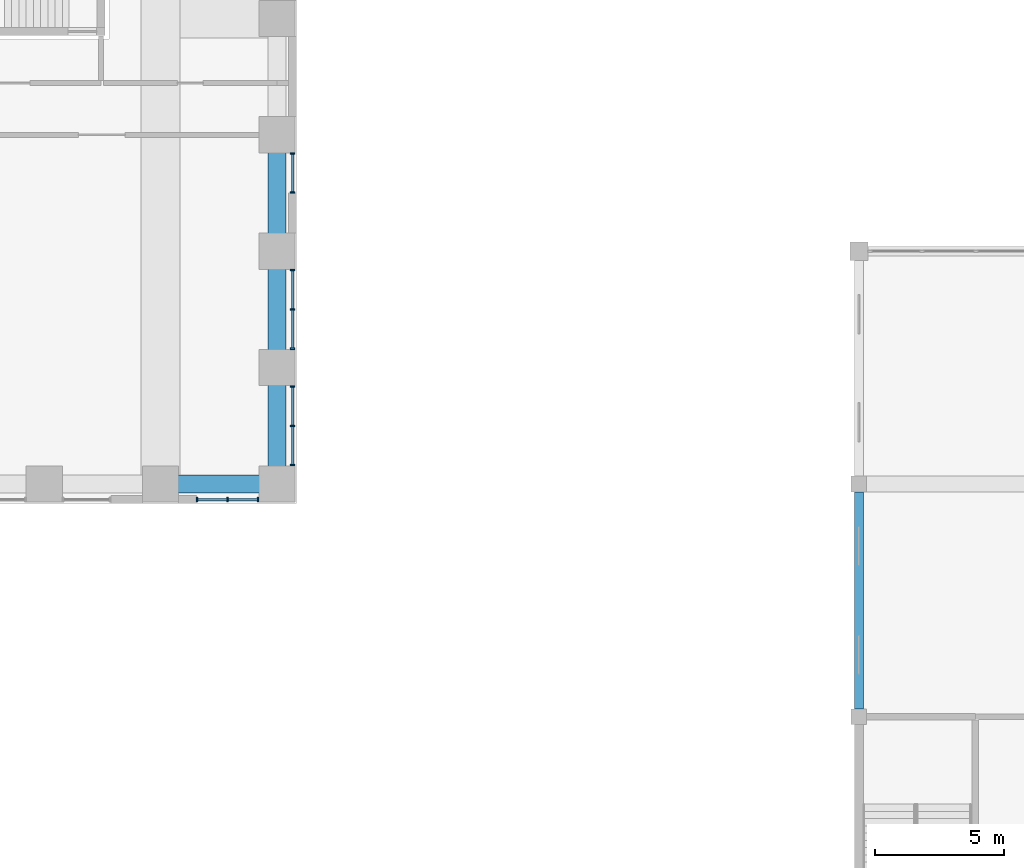
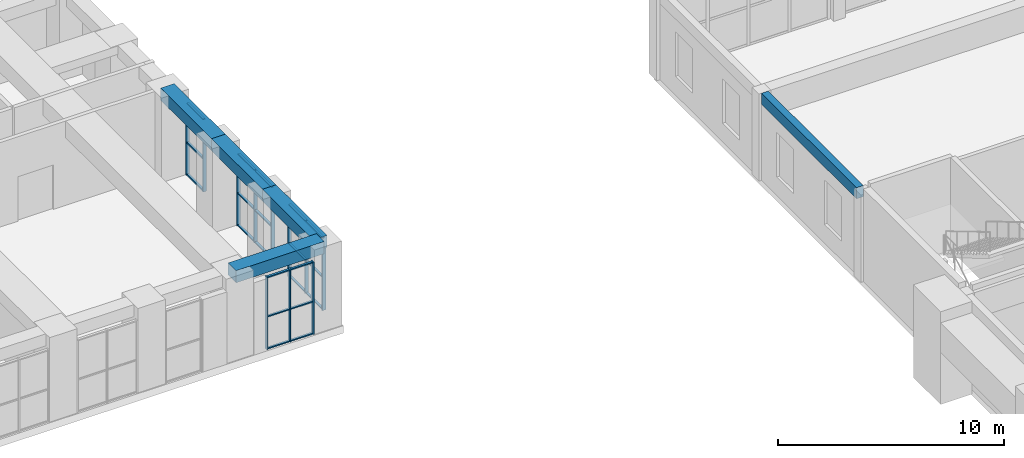
# One storey, part 8 of 34: 32 members, 5 beams, 4 elements without a shape of their own.
"""IFC4 building model written with IfcOpenShell, lengths in metres."""

from ifc_helpers import new_model, si_unit, direction, frame, origin, origin_2d, place, context, subcontext, project, spatial, rectangle, extrude, material, material_profile, profile_set, type_object, element, aggregate, save


model = new_model("IFC4")

# Units and contexts
model_context = context("Model", 3, precision=1e-05, world=origin(), true_north=direction((0.0, 1.0)))
body_context = subcontext(model_context, "Body", "Model", "MODEL_VIEW")
ifc_project = project(units=[si_unit("LENGTHUNIT", "METRE"), si_unit("AREAUNIT", "SQUARE_METRE"), si_unit("VOLUMEUNIT", "CUBIC_METRE"), si_unit("PLANEANGLEUNIT", "RADIAN"), si_unit("MASSUNIT", "GRAM", prefix="KILO")], contexts=[model_context])

# Site, building, storey
site_placement = place(None, origin())
site = spatial("IfcSite", under=ifc_project, at=site_placement, CompositionType="ELEMENT")
building_placement = place(site_placement, origin())
building = spatial("IfcBuilding", under=site, at=building_placement, Name="Firuza Court", CompositionType="ELEMENT")
storey_placement = place(building_placement, frame((0.0, 0.0, 19.0)))
storey = spatial("IfcBuildingStorey", under=building, at=storey_placement, Name="L03", CompositionType="ELEMENT", Elevation=19.0)

# Curtain wall, members
ifc_material_1 = material(Name="Aluminium curtain wall, triple clear glazing", Category="aluminium")
curtain_wall_type = type_object("IfcCurtainWallType", Name="Podium unitised curtain wall CW1", PredefinedType="NOTDEFINED", material=ifc_material_1)
curtain_wall_1_placement = place(storey_placement, origin())
curtain_wall_1 = element("IfcCurtainWall", 1, at=curtain_wall_1_placement, inside=storey, type_object=curtain_wall_type, Name="Podium unitised curtain wall CW1 L03", PredefinedType="NOTDEFINED")
ifc_material_2 = material(Name="Aluminium EN AW-6060 T66", Category="aluminium")
ifc_material_profile_1 = material_profile(ifc_material_2, rectangle(XDim=0.179931640625, YDim=0.06005859375, at=origin_2d()), Name="Mullion 180 x 60 CW1")
ifc_profile_set_1 = profile_set([ifc_material_profile_1], Name="Aluminium EN AW-6060 T66")
member_type_1 = type_object("IfcMemberType", Name="Mullion 180 x 60 CW1", PredefinedType="MULLION", material=ifc_profile_set_1)
member_1_placement = place(storey_placement, frame((64.409912109375, 35.39990234375, 0.0), z_axis=(0.0, 0.0, 1.0), x_axis=(0.0, 1.0, 0.0)))
member_1 = element("IfcMember", 2, at=member_1_placement, type_object=member_type_1, Name="CW1 mullion 1", PredefinedType="MULLION", context=body_context, shape_type="SweptSolid", body=[
    extrude(rectangle(XDim=0.179931640625, YDim=0.06005859375, at=origin_2d()), origin(), (0.0, 0.0, 1.0), 3.89990234375),
])
member_2_placement = place(storey_placement, frame((65.58984375, 35.39990234375, 0.0), z_axis=(0.0, 0.0, 1.0), x_axis=(0.0, 1.0, 0.0)))
member_2 = element("IfcMember", 3, at=member_2_placement, type_object=member_type_1, Name="CW1 mullion 2", PredefinedType="MULLION", context=body_context, shape_type="SweptSolid", body=[
    extrude(rectangle(XDim=0.179931640625, YDim=0.06005859375, at=origin_2d()), origin(), (0.0, 0.0, 1.0), 3.89990234375),
])
member_3_placement = place(storey_placement, frame((66.77001953125, 35.39990234375, 0.0), z_axis=(0.0, 0.0, 1.0), x_axis=(0.0, 1.0, 0.0)))
member_3 = element("IfcMember", 4, at=member_3_placement, type_object=member_type_1, Name="CW1 mullion 3", PredefinedType="MULLION", context=body_context, shape_type="SweptSolid", body=[
    extrude(rectangle(XDim=0.179931640625, YDim=0.06005859375, at=origin_2d()), origin(), (0.0, 0.0, 1.0), 3.89990234375),
])

curtain_wall_2_placement = place(storey_placement, origin())
curtain_wall_2 = element("IfcCurtainWall", 5, at=curtain_wall_2_placement, inside=storey, type_object=curtain_wall_type, Name="Podium unitised curtain wall CW1 L03", PredefinedType="NOTDEFINED")
member_4_placement = place(storey_placement, frame((68.10009765625, 36.72998046875, 0.0), z_axis=(0.0, 0.0, 1.0), x_axis=(-1.0, 0.0, 0.0)))
member_4 = element("IfcMember", 6, at=member_4_placement, type_object=member_type_1, Name="CW1 mullion 1", PredefinedType="MULLION", context=body_context, shape_type="SweptSolid", body=[
    extrude(rectangle(XDim=0.179931640625, YDim=0.06005859375, at=origin_2d()), origin(), (0.0, 0.0, 1.0), 3.89990234375),
])
member_5_placement = place(storey_placement, frame((68.10009765625, 38.25, 0.0), z_axis=(0.0, 0.0, 1.0), x_axis=(-1.0, 0.0, 0.0)))
member_5 = element("IfcMember", 7, at=member_5_placement, type_object=member_type_1, Name="CW1 mullion 2", PredefinedType="MULLION", context=body_context, shape_type="SweptSolid", body=[
    extrude(rectangle(XDim=0.179931640625, YDim=0.06005859375, at=origin_2d()), origin(), (0.0, 0.0, 1.0), 3.89990234375),
])
member_6_placement = place(storey_placement, frame((68.10009765625, 39.77001953125, 0.0), z_axis=(0.0, 0.0, 1.0), x_axis=(-1.0, 0.0, 0.0)))
member_6 = element("IfcMember", 8, at=member_6_placement, type_object=member_type_1, Name="CW1 mullion 3", PredefinedType="MULLION", context=body_context, shape_type="SweptSolid", body=[
    extrude(rectangle(XDim=0.179931640625, YDim=0.06005859375, at=origin_2d()), origin(), (0.0, 0.0, 1.0), 3.89990234375),
])

curtain_wall_3_placement = place(storey_placement, origin())
curtain_wall_3 = element("IfcCurtainWall", 9, at=curtain_wall_3_placement, inside=storey, type_object=curtain_wall_type, Name="Podium unitised curtain wall CW1 L03", PredefinedType="NOTDEFINED")
member_7_placement = place(storey_placement, frame((68.10009765625, 41.22998046875, 0.0), z_axis=(0.0, 0.0, 1.0), x_axis=(-1.0, 0.0, 0.0)))
member_7 = element("IfcMember", 10, at=member_7_placement, type_object=member_type_1, Name="CW1 mullion 1", PredefinedType="MULLION", context=body_context, shape_type="SweptSolid", body=[
    extrude(rectangle(XDim=0.179931640625, YDim=0.06005859375, at=origin_2d()), origin(), (0.0, 0.0, 1.0), 3.89990234375),
])
member_8_placement = place(storey_placement, frame((68.10009765625, 42.75, 0.0), z_axis=(0.0, 0.0, 1.0), x_axis=(-1.0, 0.0, 0.0)))
member_8 = element("IfcMember", 11, at=member_8_placement, type_object=member_type_1, Name="CW1 mullion 2", PredefinedType="MULLION", context=body_context, shape_type="SweptSolid", body=[
    extrude(rectangle(XDim=0.179931640625, YDim=0.06005859375, at=origin_2d()), origin(), (0.0, 0.0, 1.0), 3.89990234375),
])
member_9_placement = place(storey_placement, frame((68.10009765625, 44.27001953125, 0.0), z_axis=(0.0, 0.0, 1.0), x_axis=(-1.0, 0.0, 0.0)))
member_9 = element("IfcMember", 12, at=member_9_placement, type_object=member_type_1, Name="CW1 mullion 3", PredefinedType="MULLION", context=body_context, shape_type="SweptSolid", body=[
    extrude(rectangle(XDim=0.179931640625, YDim=0.06005859375, at=origin_2d()), origin(), (0.0, 0.0, 1.0), 3.89990234375),
])

curtain_wall_4_placement = place(storey_placement, origin())
curtain_wall_4 = element("IfcCurtainWall", 13, at=curtain_wall_4_placement, inside=storey, type_object=curtain_wall_type, Name="Podium unitised curtain wall CW1 L03", PredefinedType="NOTDEFINED")
member_10_placement = place(storey_placement, frame((68.10009765625, 47.272216796875, 0.0), z_axis=(0.0, 0.0, 1.0), x_axis=(-1.0, 0.0, 0.0)))
member_10 = element("IfcMember", 14, at=member_10_placement, type_object=member_type_1, Name="CW1 mullion 1", PredefinedType="MULLION", context=body_context, shape_type="SweptSolid", body=[
    extrude(rectangle(XDim=0.179931640625, YDim=0.06005859375, at=origin_2d()), origin(), (0.0, 0.0, 1.0), 3.89990234375),
])
member_11_placement = place(storey_placement, frame((68.10009765625, 48.77001953125, 0.0), z_axis=(0.0, 0.0, 1.0), x_axis=(-1.0, 0.0, 0.0)))
member_11 = element("IfcMember", 15, at=member_11_placement, type_object=member_type_1, Name="CW1 mullion 2", PredefinedType="MULLION", context=body_context, shape_type="SweptSolid", body=[
    extrude(rectangle(XDim=0.179931640625, YDim=0.06005859375, at=origin_2d()), origin(), (0.0, 0.0, 1.0), 3.89990234375),
])

# Beams
ifc_material_3 = material(Name="Concrete C40/50", Category="concrete")
ifc_material_profile_2 = material_profile(ifc_material_3, rectangle(XDim=0.35009765625, YDim=0.60009765625, at=origin_2d()), Name="RC 350X600")
ifc_profile_set_2 = profile_set([ifc_material_profile_2], Name="Concrete C40/50")
beam_type_1 = type_object("IfcBeamType", Name="RC RING BEAM 350X600", PredefinedType="BEAM", material=ifc_profile_set_2)
beam_placement = place(storey_placement, frame((90.0, 27.300048828125, 4.39990234375), z_axis=(0.0, 1.0, 0.0), x_axis=(-1.0, 0.0, 0.0)))
element("IfcBeam", 16, at=beam_placement, inside=storey, type_object=beam_type_1, Name="Edge beam W2.1 L03", PredefinedType="BEAM", context=body_context, shape_type="SweptSolid", body=[
    extrude(rectangle(XDim=0.35009765625, YDim=0.60009765625, at=origin_2d()), origin(), (0.0, 0.0, 1.0), 8.39990234375),
])
ifc_material_4 = material(Name="Concrete C40/50", Category="concrete")
ifc_material_profile_3 = material_profile(ifc_material_4, rectangle(XDim=0.699951171875, YDim=0.64990234375, at=origin_2d()), Name="RC 700x650")
ifc_profile_set_3 = profile_set([ifc_material_profile_3], Name="Concrete C40/50")
beam_type_2 = type_object("IfcBeamType", Name="Spandrel beam RC 700x650 C40/50", PredefinedType="BEAM", material=ifc_profile_set_3)
for number, where, z_axis, x_axis, name in (
    (17, (63.0, 36.0, 4.22509765625), (1.0, 0.0, 0.0), (0.0, 1.0, 0.0), "Spandrel beam SP9 level L04"),
    (18, (67.5, 36.0, 4.22509765625), (0.0, 1.0, 0.0), (-1.0, 0.0, 0.0), "Spandrel beam SP9 level L04"),
    (19, (67.5, 40.5, 4.22509765625), (0.0, 1.0, 0.0), (-1.0, 0.0, 0.0), "Spandrel beam SP9 level L04"),
    (20, (67.5, 45.0, 4.22509765625), (0.0, 1.0, 0.0), (-1.0, 0.0, 0.0), "Spandrel beam SP9 level L04"),
):
    element("IfcBeam", number, at=place(storey_placement, frame(where, z_axis=z_axis, x_axis=x_axis)), inside=storey, type_object=beam_type_2, Name=name, PredefinedType="BEAM", context=body_context, shape_type="SweptSolid", body=[
        extrude(rectangle(XDim=0.699951171875, YDim=0.64990234375, at=origin_2d()), origin(), (0.0, 0.0, 1.0), 4.5),
    ])

# Member
ifc_material_5 = material(Name="Aluminium EN AW-6060 T66", Category="aluminium")
ifc_material_profile_4 = material_profile(ifc_material_5, rectangle(XDim=0.1201171875, YDim=0.06005859375, at=origin_2d()), Name="Transom 120 x 60 CW1")
ifc_profile_set_4 = profile_set([ifc_material_profile_4], Name="Aluminium EN AW-6060 T66")
member_type_2 = type_object("IfcMemberType", Name="Transom 120 x 60 CW1", PredefinedType="USERDEFINED", material=ifc_profile_set_4)
member_12_placement = place(storey_placement, frame((64.439697265625, 35.39990234375, 0.030029296875), z_axis=(1.0, 0.0, 0.0), x_axis=(0.0, 1.0, 0.0)))
member_12 = element("IfcMember", 21, at=member_12_placement, type_object=member_type_2, Name="CW1 transom 1.1", ObjectType="TRANSOM", PredefinedType="USERDEFINED", context=body_context, shape_type="SweptSolid", body=[
    extrude(rectangle(XDim=0.1201171875, YDim=0.06005859375, at=origin_2d()), origin(), (0.0, 0.0, 1.0), 1.1201171875),
])

member_13_placement = place(storey_placement, frame((64.439697265625, 35.39990234375, 1.7548828125), z_axis=(1.0, 0.0, 0.0), x_axis=(0.0, 1.0, 0.0)))
member_13 = element("IfcMember", 22, at=member_13_placement, type_object=member_type_2, Name="CW1 transom 1.2", ObjectType="TRANSOM", PredefinedType="USERDEFINED", context=body_context, shape_type="SweptSolid", body=[
    extrude(rectangle(XDim=0.1201171875, YDim=0.06005859375, at=origin_2d()), origin(), (0.0, 0.0, 1.0), 1.1201171875),
])

member_14_placement = place(storey_placement, frame((64.439697265625, 35.39990234375, 3.8701171875), z_axis=(1.0, 0.0, 0.0), x_axis=(0.0, 1.0, 0.0)))
member_14 = element("IfcMember", 23, at=member_14_placement, type_object=member_type_2, Name="CW1 transom 1.3", ObjectType="TRANSOM", PredefinedType="USERDEFINED", context=body_context, shape_type="SweptSolid", body=[
    extrude(rectangle(XDim=0.1201171875, YDim=0.06005859375, at=origin_2d()), origin(), (0.0, 0.0, 1.0), 1.1201171875),
])

member_15_placement = place(storey_placement, frame((65.619873046875, 35.39990234375, 0.030029296875), z_axis=(1.0, 0.0, 0.0), x_axis=(0.0, 1.0, 0.0)))
member_15 = element("IfcMember", 24, at=member_15_placement, type_object=member_type_2, Name="CW1 transom 2.1", ObjectType="TRANSOM", PredefinedType="USERDEFINED", context=body_context, shape_type="SweptSolid", body=[
    extrude(rectangle(XDim=0.1201171875, YDim=0.06005859375, at=origin_2d()), origin(), (0.0, 0.0, 1.0), 1.1201171875),
])

member_16_placement = place(storey_placement, frame((65.619873046875, 35.39990234375, 1.7548828125), z_axis=(1.0, 0.0, 0.0), x_axis=(0.0, 1.0, 0.0)))
member_16 = element("IfcMember", 25, at=member_16_placement, type_object=member_type_2, Name="CW1 transom 2.2", ObjectType="TRANSOM", PredefinedType="USERDEFINED", context=body_context, shape_type="SweptSolid", body=[
    extrude(rectangle(XDim=0.1201171875, YDim=0.06005859375, at=origin_2d()), origin(), (0.0, 0.0, 1.0), 1.1201171875),
])

member_17_placement = place(storey_placement, frame((65.619873046875, 35.39990234375, 3.8701171875), z_axis=(1.0, 0.0, 0.0), x_axis=(0.0, 1.0, 0.0)))
member_17 = element("IfcMember", 26, at=member_17_placement, type_object=member_type_2, Name="CW1 transom 2.3", ObjectType="TRANSOM", PredefinedType="USERDEFINED", context=body_context, shape_type="SweptSolid", body=[
    extrude(rectangle(XDim=0.1201171875, YDim=0.06005859375, at=origin_2d()), origin(), (0.0, 0.0, 1.0), 1.1201171875),
])

aggregate(curtain_wall_1, [member_1, member_2, member_3, member_12, member_13, member_14, member_15, member_16, member_17])

member_18_placement = place(storey_placement, frame((68.10009765625, 36.760009765625, 0.030029296875), z_axis=(0.0, 1.0, 0.0), x_axis=(-1.0, 0.0, 0.0)))
member_18 = element("IfcMember", 27, at=member_18_placement, type_object=member_type_2, Name="CW1 transom 1.1", ObjectType="TRANSOM", PredefinedType="USERDEFINED", context=body_context, shape_type="SweptSolid", body=[
    extrude(rectangle(XDim=0.1201171875, YDim=0.06005859375, at=origin_2d()), origin(), (0.0, 0.0, 1.0), 1.4599609375),
])

member_19_placement = place(storey_placement, frame((68.10009765625, 36.760009765625, 1.7548828125), z_axis=(0.0, 1.0, 0.0), x_axis=(-1.0, 0.0, 0.0)))
member_19 = element("IfcMember", 28, at=member_19_placement, type_object=member_type_2, Name="CW1 transom 1.2", ObjectType="TRANSOM", PredefinedType="USERDEFINED", context=body_context, shape_type="SweptSolid", body=[
    extrude(rectangle(XDim=0.1201171875, YDim=0.06005859375, at=origin_2d()), origin(), (0.0, 0.0, 1.0), 1.4599609375),
])

member_20_placement = place(storey_placement, frame((68.10009765625, 36.760009765625, 3.8701171875), z_axis=(0.0, 1.0, 0.0), x_axis=(-1.0, 0.0, 0.0)))
member_20 = element("IfcMember", 29, at=member_20_placement, type_object=member_type_2, Name="CW1 transom 1.3", ObjectType="TRANSOM", PredefinedType="USERDEFINED", context=body_context, shape_type="SweptSolid", body=[
    extrude(rectangle(XDim=0.1201171875, YDim=0.06005859375, at=origin_2d()), origin(), (0.0, 0.0, 1.0), 1.4599609375),
])

member_21_placement = place(storey_placement, frame((68.10009765625, 38.280029296875, 0.030029296875), z_axis=(0.0, 1.0, 0.0), x_axis=(-1.0, 0.0, 0.0)))
member_21 = element("IfcMember", 30, at=member_21_placement, type_object=member_type_2, Name="CW1 transom 2.1", ObjectType="TRANSOM", PredefinedType="USERDEFINED", context=body_context, shape_type="SweptSolid", body=[
    extrude(rectangle(XDim=0.1201171875, YDim=0.06005859375, at=origin_2d()), origin(), (0.0, 0.0, 1.0), 1.4599609375),
])

member_22_placement = place(storey_placement, frame((68.10009765625, 38.280029296875, 1.7548828125), z_axis=(0.0, 1.0, 0.0), x_axis=(-1.0, 0.0, 0.0)))
member_22 = element("IfcMember", 31, at=member_22_placement, type_object=member_type_2, Name="CW1 transom 2.2", ObjectType="TRANSOM", PredefinedType="USERDEFINED", context=body_context, shape_type="SweptSolid", body=[
    extrude(rectangle(XDim=0.1201171875, YDim=0.06005859375, at=origin_2d()), origin(), (0.0, 0.0, 1.0), 1.4599609375),
])

member_23_placement = place(storey_placement, frame((68.10009765625, 38.280029296875, 3.8701171875), z_axis=(0.0, 1.0, 0.0), x_axis=(-1.0, 0.0, 0.0)))
member_23 = element("IfcMember", 32, at=member_23_placement, type_object=member_type_2, Name="CW1 transom 2.3", ObjectType="TRANSOM", PredefinedType="USERDEFINED", context=body_context, shape_type="SweptSolid", body=[
    extrude(rectangle(XDim=0.1201171875, YDim=0.06005859375, at=origin_2d()), origin(), (0.0, 0.0, 1.0), 1.4599609375),
])

aggregate(curtain_wall_2, [member_4, member_5, member_6, member_18, member_19, member_20, member_21, member_22, member_23])

member_24_placement = place(storey_placement, frame((68.10009765625, 41.260009765625, 0.030029296875), z_axis=(0.0, 1.0, 0.0), x_axis=(-1.0, 0.0, 0.0)))
member_24 = element("IfcMember", 33, at=member_24_placement, type_object=member_type_2, Name="CW1 transom 1.1", ObjectType="TRANSOM", PredefinedType="USERDEFINED", context=body_context, shape_type="SweptSolid", body=[
    extrude(rectangle(XDim=0.1201171875, YDim=0.06005859375, at=origin_2d()), origin(), (0.0, 0.0, 1.0), 1.4599609375),
])

member_25_placement = place(storey_placement, frame((68.10009765625, 41.260009765625, 1.7548828125), z_axis=(0.0, 1.0, 0.0), x_axis=(-1.0, 0.0, 0.0)))
member_25 = element("IfcMember", 34, at=member_25_placement, type_object=member_type_2, Name="CW1 transom 1.2", ObjectType="TRANSOM", PredefinedType="USERDEFINED", context=body_context, shape_type="SweptSolid", body=[
    extrude(rectangle(XDim=0.1201171875, YDim=0.06005859375, at=origin_2d()), origin(), (0.0, 0.0, 1.0), 1.4599609375),
])

member_26_placement = place(storey_placement, frame((68.10009765625, 41.260009765625, 3.8701171875), z_axis=(0.0, 1.0, 0.0), x_axis=(-1.0, 0.0, 0.0)))
member_26 = element("IfcMember", 35, at=member_26_placement, type_object=member_type_2, Name="CW1 transom 1.3", ObjectType="TRANSOM", PredefinedType="USERDEFINED", context=body_context, shape_type="SweptSolid", body=[
    extrude(rectangle(XDim=0.1201171875, YDim=0.06005859375, at=origin_2d()), origin(), (0.0, 0.0, 1.0), 1.4599609375),
])

member_27_placement = place(storey_placement, frame((68.10009765625, 42.780029296875, 0.030029296875), z_axis=(0.0, 1.0, 0.0), x_axis=(-1.0, 0.0, 0.0)))
member_27 = element("IfcMember", 36, at=member_27_placement, type_object=member_type_2, Name="CW1 transom 2.1", ObjectType="TRANSOM", PredefinedType="USERDEFINED", context=body_context, shape_type="SweptSolid", body=[
    extrude(rectangle(XDim=0.1201171875, YDim=0.06005859375, at=origin_2d()), origin(), (0.0, 0.0, 1.0), 1.4599609375),
])

member_28_placement = place(storey_placement, frame((68.10009765625, 42.780029296875, 1.7548828125), z_axis=(0.0, 1.0, 0.0), x_axis=(-1.0, 0.0, 0.0)))
member_28 = element("IfcMember", 37, at=member_28_placement, type_object=member_type_2, Name="CW1 transom 2.2", ObjectType="TRANSOM", PredefinedType="USERDEFINED", context=body_context, shape_type="SweptSolid", body=[
    extrude(rectangle(XDim=0.1201171875, YDim=0.06005859375, at=origin_2d()), origin(), (0.0, 0.0, 1.0), 1.4599609375),
])

member_29_placement = place(storey_placement, frame((68.10009765625, 42.780029296875, 3.8701171875), z_axis=(0.0, 1.0, 0.0), x_axis=(-1.0, 0.0, 0.0)))
member_29 = element("IfcMember", 38, at=member_29_placement, type_object=member_type_2, Name="CW1 transom 2.3", ObjectType="TRANSOM", PredefinedType="USERDEFINED", context=body_context, shape_type="SweptSolid", body=[
    extrude(rectangle(XDim=0.1201171875, YDim=0.06005859375, at=origin_2d()), origin(), (0.0, 0.0, 1.0), 1.4599609375),
])

aggregate(curtain_wall_3, [member_7, member_8, member_9, member_24, member_25, member_26, member_27, member_28, member_29])

member_30_placement = place(storey_placement, frame((68.10009765625, 47.30224609375, 0.030029296875), z_axis=(0.0, 1.0, 0.0), x_axis=(-1.0, 0.0, 0.0)))
member_30 = element("IfcMember", 39, at=member_30_placement, type_object=member_type_2, Name="CW1 transom 1.1", ObjectType="TRANSOM", PredefinedType="USERDEFINED", context=body_context, shape_type="SweptSolid", body=[
    extrude(rectangle(XDim=0.1201171875, YDim=0.06005859375, at=origin_2d()), origin(), (0.0, 0.0, 1.0), 1.437744140625),
])

member_31_placement = place(storey_placement, frame((68.10009765625, 47.30224609375, 1.7548828125), z_axis=(0.0, 1.0, 0.0), x_axis=(-1.0, 0.0, 0.0)))
member_31 = element("IfcMember", 40, at=member_31_placement, type_object=member_type_2, Name="CW1 transom 1.2", ObjectType="TRANSOM", PredefinedType="USERDEFINED", context=body_context, shape_type="SweptSolid", body=[
    extrude(rectangle(XDim=0.1201171875, YDim=0.06005859375, at=origin_2d()), origin(), (0.0, 0.0, 1.0), 1.437744140625),
])

member_32_placement = place(storey_placement, frame((68.10009765625, 47.30224609375, 3.8701171875), z_axis=(0.0, 1.0, 0.0), x_axis=(-1.0, 0.0, 0.0)))
member_32 = element("IfcMember", 41, at=member_32_placement, type_object=member_type_2, Name="CW1 transom 1.3", ObjectType="TRANSOM", PredefinedType="USERDEFINED", context=body_context, shape_type="SweptSolid", body=[
    extrude(rectangle(XDim=0.1201171875, YDim=0.06005859375, at=origin_2d()), origin(), (0.0, 0.0, 1.0), 1.437744140625),
])

aggregate(curtain_wall_4, [member_10, member_11, member_30, member_31, member_32])

save(model, "model.ifc")
